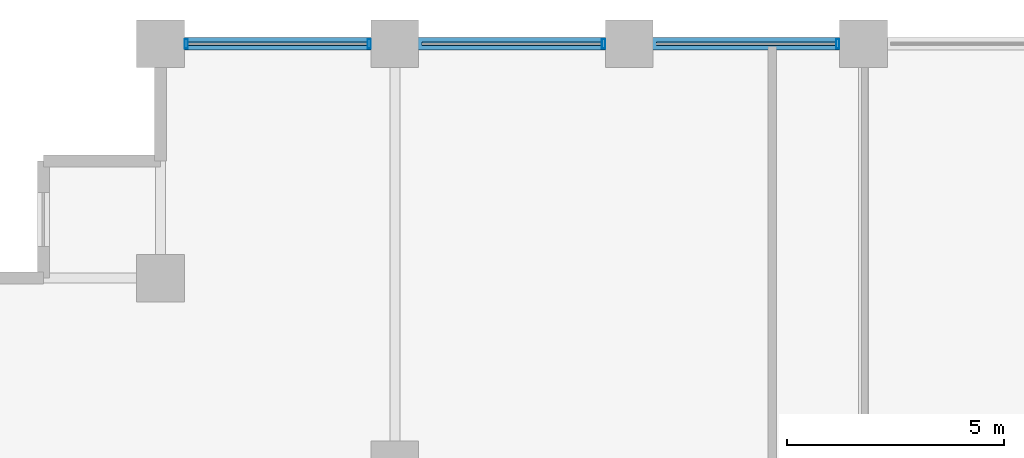
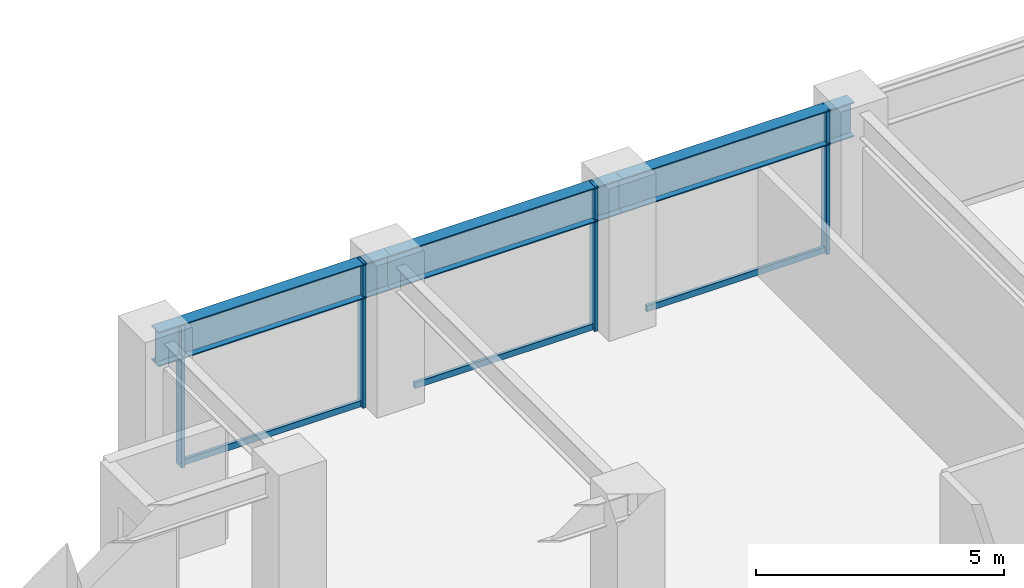
# One storey, part 12 of 24: 7 members, 3 beams, 1 element without a shape of its own.
"""IFC4 building model written with IfcOpenShell, lengths in metres."""

from ifc_helpers import new_model, si_unit, direction, frame, origin, origin_2d, place, context, subcontext, project, spatial, hollow_rectangle, i_section, extrude, material, layer, layer_set, material_profile, profile_set, type_object, element, aggregate, save


model = new_model("IFC4")

# Units and contexts
model_context = context("Model", 3, precision=1e-05, world=origin(), true_north=direction((0.0, 1.0)))
body_context = subcontext(model_context, "Body", "Model", "MODEL_VIEW")
ifc_project = project(units=[si_unit("LENGTHUNIT", "METRE"), si_unit("AREAUNIT", "SQUARE_METRE"), si_unit("VOLUMEUNIT", "CUBIC_METRE"), si_unit("PLANEANGLEUNIT", "RADIAN"), si_unit("MASSUNIT", "GRAM", prefix="KILO")], contexts=[model_context])

# Site, building, storey
site_placement = place(None, origin())
site = spatial("IfcSite", under=ifc_project, at=site_placement, CompositionType="ELEMENT")
building_placement = place(site_placement, origin())
building = spatial("IfcBuilding", under=site, at=building_placement, Name="Surkhivell Harbour Commons", CompositionType="ELEMENT")
storey_placement = place(building_placement, frame((0.0, 0.0, 105.75)))
storey = spatial("IfcBuildingStorey", under=building, at=storey_placement, Name="L27", CompositionType="ELEMENT", Elevation=105.75)

# Beams
ifc_material_1 = material(Name="Steel S460", Category="steel")
ifc_material_profile_1 = material_profile(ifc_material_1, i_section(OverallWidth=0.2939453125, OverallDepth=0.85107421875, WebThickness=0.01611328125, FlangeThickness=0.02685546875, at=origin_2d()), Name="UB838x292x226")
ifc_profile_set_1 = profile_set([ifc_material_profile_1], Name="Steel S460")
beam_type = type_object("IfcBeamType", Name="BM-SPN-838", PredefinedType="SPANDREL", material=ifc_profile_set_1)
beam_1_placement = place(storey_placement, frame((-27.0, 25.89990234375, 3.14453125), z_axis=(1.0, 0.0, 0.0), x_axis=(0.0, 1.0, 0.0)))
element("IfcBeam", 1, at=beam_1_placement, inside=storey, type_object=beam_type, Name="L27 Tube Spandrel (-27.0,25.9)", PredefinedType="SPANDREL", context=body_context, shape_type="SweptSolid", body=[
    extrude(i_section(OverallWidth=0.2939453125, OverallDepth=0.85107421875, WebThickness=0.01611328125, FlangeThickness=0.02685546875, at=origin_2d()), origin(), (0.0, 0.0, 1.0), 5.39990234375),
])
beam_2_placement = place(storey_placement, frame((-21.60009765625, 25.89990234375, 3.14453125), z_axis=(1.0, 0.0, 0.0), x_axis=(0.0, 1.0, 0.0)))
element("IfcBeam", 2, at=beam_2_placement, inside=storey, type_object=beam_type, Name="L27 Tube Spandrel (-21.6,25.9)", PredefinedType="SPANDREL", context=body_context, shape_type="SweptSolid", body=[
    extrude(i_section(OverallWidth=0.2939453125, OverallDepth=0.85107421875, WebThickness=0.01611328125, FlangeThickness=0.02685546875, at=origin_2d()), origin(), (0.0, 0.0, 1.0), 5.400146484375),
])
beam_3_placement = place(storey_placement, frame((-16.199951171875, 25.89990234375, 3.14453125), z_axis=(1.0, 0.0, 0.0), x_axis=(0.0, 1.0, 0.0)))
element("IfcBeam", 3, at=beam_3_placement, inside=storey, type_object=beam_type, Name="L27 Tube Spandrel (-16.2,25.9)", PredefinedType="SPANDREL", context=body_context, shape_type="SweptSolid", body=[
    extrude(i_section(OverallWidth=0.2939453125, OverallDepth=0.85107421875, WebThickness=0.01611328125, FlangeThickness=0.02685546875, at=origin_2d()), origin(), (0.0, 0.0, 1.0), 5.39990234375),
])

# Curtain wall, members
ifc_material_2 = material(Name="Anodised pale-metal aluminium and insulated glazing", Category="aluminium")
ifc_layer = layer(ifc_material_2, 0.205078125)
ifc_layer_set = layer_set([ifc_layer], Name="Anodised pale-metal aluminium and insulated glazing")
curtain_wall_type = type_object("IfcCurtainWallType", Name="CW-SYS-Z2", PredefinedType="NOTDEFINED", material=ifc_layer_set)
curtain_wall_placement = place(storey_placement, origin())
curtain_wall = element("IfcCurtainWall", 4, at=curtain_wall_placement, inside=storey, type_object=curtain_wall_type, Name="L27 Curtain Wall CW-L27-E07S2", PredefinedType="NOTDEFINED")
ifc_material_3 = material(Name="Anodised pale-metal aluminium alloy 6063-T6", Category="aluminium")
ifc_material_profile_2 = material_profile(ifc_material_3, hollow_rectangle(XDim=0.074951171875, YDim=0.219970703125, WallThickness=0.00390625, at=origin_2d()), Name="ALU-MULL-75x220")
ifc_profile_set_2 = profile_set([ifc_material_profile_2], Name="Anodised pale-metal aluminium alloy 6063-T6")
member_type_1 = type_object("IfcMemberType", Name="CWM-220", PredefinedType="MULLION", material=ifc_profile_set_2)
member_1_placement = place(storey_placement, frame((-11.389404296875, 25.89990234375, 0.0), z_axis=(0.0, 0.0, 1.0), x_axis=(-1.0, 0.0, 0.0)))
member_1 = element("IfcMember", 5, at=member_1_placement, type_object=member_type_1, Name="CW-Z2 mullion 2", PredefinedType="MULLION", context=body_context, shape_type="SweptSolid", body=[
    extrude(hollow_rectangle(XDim=0.074951171875, YDim=0.219970703125, WallThickness=0.00390625, at=origin_2d()), origin(), (0.0, 0.0, 1.0), 3.570068359375),
])
member_2_placement = place(storey_placement, frame((-16.78955078125, 25.89990234375, 0.0), z_axis=(0.0, 0.0, 1.0), x_axis=(-1.0, 0.0, 0.0)))
member_2 = element("IfcMember", 6, at=member_2_placement, type_object=member_type_1, Name="CW-Z2 mullion 3", PredefinedType="MULLION", context=body_context, shape_type="SweptSolid", body=[
    extrude(hollow_rectangle(XDim=0.074951171875, YDim=0.219970703125, WallThickness=0.00390625, at=origin_2d()), origin(), (0.0, 0.0, 1.0), 3.570068359375),
])
member_3_placement = place(storey_placement, frame((-22.189453125, 25.89990234375, 0.0), z_axis=(0.0, 0.0, 1.0), x_axis=(-1.0, 0.0, 0.0)))
member_3 = element("IfcMember", 7, at=member_3_placement, type_object=member_type_1, Name="CW-Z2 mullion 4", PredefinedType="MULLION", context=body_context, shape_type="SweptSolid", body=[
    extrude(hollow_rectangle(XDim=0.074951171875, YDim=0.219970703125, WallThickness=0.00390625, at=origin_2d()), origin(), (0.0, 0.0, 1.0), 3.570068359375),
])
member_4_placement = place(storey_placement, frame((-26.410400390625, 25.89990234375, 0.0), z_axis=(0.0, 0.0, 1.0), x_axis=(-1.0, 0.0, 0.0)))
member_4 = element("IfcMember", 8, at=member_4_placement, type_object=member_type_1, Name="CW-Z2 mullion 5", PredefinedType="MULLION", context=body_context, shape_type="SweptSolid", body=[
    extrude(hollow_rectangle(XDim=0.074951171875, YDim=0.219970703125, WallThickness=0.00390625, at=origin_2d()), origin(), (0.0, 0.0, 1.0), 3.570068359375),
])
ifc_material_profile_3 = material_profile(ifc_material_3, hollow_rectangle(XDim=0.074951171875, YDim=0.14990234375, WallThickness=0.00341796875, at=origin_2d()), Name="ALU-TRAN-75x150")
ifc_profile_set_3 = profile_set([ifc_material_profile_3], Name="Anodised pale-metal aluminium alloy 6063-T6")
member_type_2 = type_object("IfcMemberType", Name="CWT-150", PredefinedType="USERDEFINED", material=ifc_profile_set_3)
member_5_placement = place(storey_placement, frame((-11.427001953125, 25.89990234375, 0.074951171875), z_axis=(-1.0, 0.0, 0.0), x_axis=(0.0, -1.0, 0.0)))
member_5 = element("IfcMember", 9, at=member_5_placement, type_object=member_type_2, Name="CW-Z2 transom 2.1", ObjectType="TRANSOM", PredefinedType="USERDEFINED", context=body_context, shape_type="SweptSolid", body=[
    extrude(hollow_rectangle(XDim=0.074951171875, YDim=0.14990234375, WallThickness=0.00341796875, at=origin_2d()), origin(), (0.0, 0.0, 1.0), 4.14599609375),
])
member_6_placement = place(storey_placement, frame((-16.826904296875, 25.89990234375, 0.074951171875), z_axis=(-1.0, 0.0, 0.0), x_axis=(0.0, -1.0, 0.0)))
member_6 = element("IfcMember", 10, at=member_6_placement, type_object=member_type_2, Name="CW-Z2 transom 3.1", ObjectType="TRANSOM", PredefinedType="USERDEFINED", context=body_context, shape_type="SweptSolid", body=[
    extrude(hollow_rectangle(XDim=0.074951171875, YDim=0.14990234375, WallThickness=0.00341796875, at=origin_2d()), origin(), (0.0, 0.0, 1.0), 4.14599609375),
])
member_7_placement = place(storey_placement, frame((-22.22705078125, 25.89990234375, 0.074951171875), z_axis=(-1.0, 0.0, 0.0), x_axis=(0.0, -1.0, 0.0)))
member_7 = element("IfcMember", 11, at=member_7_placement, type_object=member_type_2, Name="CW-Z2 transom 4.1", ObjectType="TRANSOM", PredefinedType="USERDEFINED", context=body_context, shape_type="SweptSolid", body=[
    extrude(hollow_rectangle(XDim=0.074951171875, YDim=0.14990234375, WallThickness=0.00341796875, at=origin_2d()), origin(), (0.0, 0.0, 1.0), 4.14599609375),
])
aggregate(curtain_wall, [member_1, member_5, member_2, member_6, member_3, member_4, member_7])

save(model, "model.ifc")
